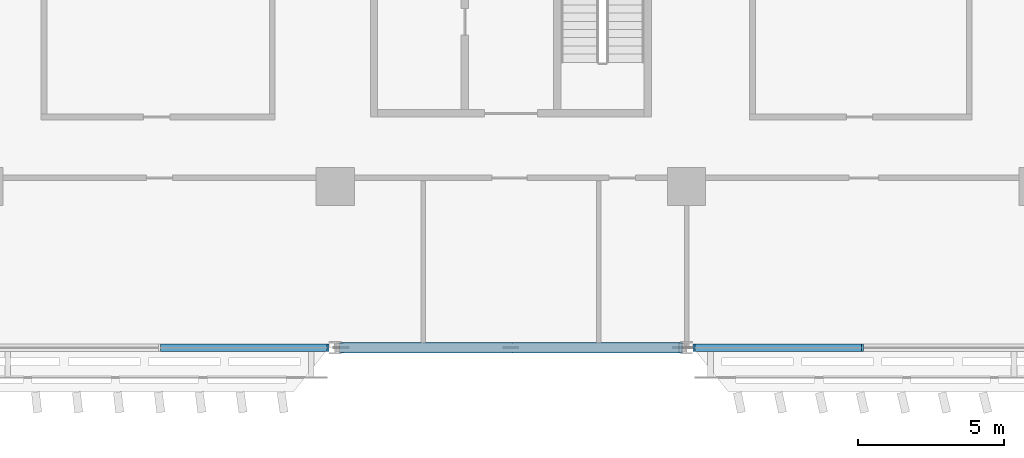
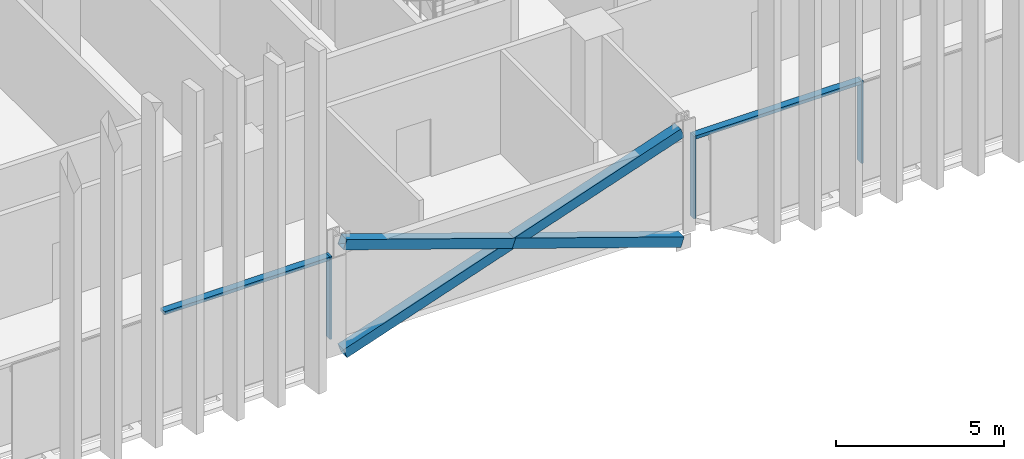
# One storey, part 4 of 33: 8 members, 2 elements without a shape of their own.
"""IFC4 building model written with IfcOpenShell, lengths in metres."""

from ifc_helpers import new_model, si_unit, direction, frame, origin, origin_2d, place, context, subcontext, project, spatial, rectangle, hollow_rectangle, extrude, material, material_profile, profile_set, type_object, element, aggregate, save


model = new_model("IFC4")

# Units and contexts
model_context = context("Model", 3, precision=1e-05, world=origin(), true_north=direction((0.0, 1.0)))
body_context = subcontext(model_context, "Body", "Model", "MODEL_VIEW")
ifc_project = project(units=[si_unit("LENGTHUNIT", "METRE"), si_unit("AREAUNIT", "SQUARE_METRE"), si_unit("VOLUMEUNIT", "CUBIC_METRE"), si_unit("PLANEANGLEUNIT", "RADIAN"), si_unit("MASSUNIT", "GRAM", prefix="KILO")], contexts=[model_context])

# Site, building, storey
site_placement = place(None, origin())
site = spatial("IfcSite", under=ifc_project, at=site_placement, CompositionType="ELEMENT")
building_placement = place(site_placement, origin())
building = spatial("IfcBuilding", under=site, at=building_placement, Name="Mahtab Terrace Research Tower", CompositionType="ELEMENT")
storey_placement = place(building_placement, frame((0.0, 0.0, 122.0)))
storey = spatial("IfcBuildingStorey", under=building, at=storey_placement, Name="L28", CompositionType="ELEMENT", Elevation=122.0)

# Members
ifc_material_1 = material(Name="Steel ASTM A500 Gr C", Category="steel")
ifc_material_profile_1 = material_profile(ifc_material_1, hollow_rectangle(XDim=0.355712890625, YDim=0.355712890625, WallThickness=0.01904296875, at=origin_2d()), Name="HSS14X14X3/4")
ifc_profile_set_1 = profile_set([ifc_material_profile_1], Name="Steel ASTM A500 Gr C")
member_type_1 = type_object("IfcMemberType", Name="HSS 14x14x3/4 brace XB141434", PredefinedType="BRACE", material=ifc_profile_set_1)
member_1_placement = place(storey_placement, frame((-5.794189453125, -17.0, -0.648193359375), z_axis=(0.946288278, 0.0, 0.323324132908), x_axis=(0.0, 1.0, 0.0)))
element("IfcMember", 1, at=member_1_placement, inside=storey, type_object=member_type_1, Name="Exoskeleton brace L28 17 a", PredefinedType="BRACE", context=body_context, shape_type="SweptSolid", body=[
    extrude(hollow_rectangle(XDim=0.355712890625, YDim=0.355712890625, WallThickness=0.01904296875, at=origin_2d()), origin(), (0.0, 0.0, 1.0), 12.24609375),
])
for number, where, z_axis, x_axis, name in (
    (2, (5.794189453125, -17.0, -0.648193359375), (-0.946288278, 0.0, 0.323324132908), (0.0, -1.0, 0.0), "Exoskeleton brace L28 17 b1"),
    (3, (0.0, -17.0, 1.33154296875), (-0.946288278, 0.0, 0.323324132908), (0.0, -1.0, 0.0), "Exoskeleton brace L28 17 b2"),
):
    element("IfcMember", number, at=place(storey_placement, frame(where, z_axis=z_axis, x_axis=x_axis)), inside=storey, type_object=member_type_1, Name=name, PredefinedType="BRACE", context=body_context, shape_type="SweptSolid", body=[
        extrude(hollow_rectangle(XDim=0.355712890625, YDim=0.355712890625, WallThickness=0.01904296875, at=origin_2d()), origin(), (0.0, 0.0, 1.0), 6.123046875),
    ])

# Curtain wall, member
ifc_material_2 = material(Name="Sky lounge full-height curtain wall")
curtain_wall_type = type_object("IfcCurtainWallType", Name="Sky lounge full-height curtain wall", PredefinedType="NOTDEFINED", material=ifc_material_2)
curtain_wall_1_placement = place(storey_placement, origin())
curtain_wall_1 = element("IfcCurtainWall", 4, at=curtain_wall_1_placement, inside=storey, type_object=curtain_wall_type, Name="EN.L28.13.26", PredefinedType="NOTDEFINED")
ifc_material_3 = material(Name="Natural anodised aluminium", Category="aluminium")
ifc_material_profile_2 = material_profile(ifc_material_3, rectangle(XDim=0.25, YDim=0.070068359375, at=origin_2d()), Name="MULLION 70x250")
ifc_profile_set_2 = profile_set([ifc_material_profile_2], Name="Natural anodised aluminium")
member_type_2 = type_object("IfcMemberType", Name="Sky lounge full-height curtain wall mullion", PredefinedType="MULLION", material=ifc_profile_set_2)
member_2_placement = place(storey_placement, frame((-6.2529296875, -17.0, 0.0), z_axis=(0.0, 0.0, 1.0), x_axis=(0.0, 1.0, 0.0)))
member_2 = element("IfcMember", 5, at=member_2_placement, type_object=member_type_2, Name="CWS-4 mullion 3", PredefinedType="MULLION", context=body_context, shape_type="SweptSolid", body=[
    extrude(rectangle(XDim=0.25, YDim=0.070068359375, at=origin_2d()), origin(), (0.0, 0.0, 1.0), 3.003173828125),
])

# Curtain wall, members
curtain_wall_2_placement = place(storey_placement, origin())
curtain_wall_2 = element("IfcCurtainWall", 6, at=curtain_wall_2_placement, inside=storey, type_object=curtain_wall_type, Name="EN.L28.13.28", PredefinedType="NOTDEFINED")
member_3_placement = place(storey_placement, frame((6.2529296875, -17.0, 0.0), z_axis=(0.0, 0.0, 1.0), x_axis=(0.0, 1.0, 0.0)))
member_3 = element("IfcMember", 7, at=member_3_placement, type_object=member_type_2, Name="CWS-4 mullion 1", PredefinedType="MULLION", context=body_context, shape_type="SweptSolid", body=[
    extrude(rectangle(XDim=0.25, YDim=0.070068359375, at=origin_2d()), origin(), (0.0, 0.0, 1.0), 3.003173828125),
])
member_4_placement = place(storey_placement, frame((12.0, -17.0, 0.0), z_axis=(0.0, 0.0, 1.0), x_axis=(0.0, 1.0, 0.0)))
member_4 = element("IfcMember", 8, at=member_4_placement, type_object=member_type_2, Name="CWS-4 mullion 2", PredefinedType="MULLION", context=body_context, shape_type="SweptSolid", body=[
    extrude(rectangle(XDim=0.25, YDim=0.070068359375, at=origin_2d()), origin(), (0.0, 0.0, 1.0), 3.003173828125),
])

# Member
ifc_material_profile_3 = material_profile(ifc_material_3, rectangle(XDim=0.25, YDim=0.1201171875, at=origin_2d()), Name="TRANSOM 120x250")
ifc_profile_set_3 = profile_set([ifc_material_profile_3], Name="Natural anodised aluminium")
member_type_3 = type_object("IfcMemberType", Name="Sky lounge full-height curtain wall transom", PredefinedType="USERDEFINED", material=ifc_profile_set_3)
member_5_placement = place(storey_placement, frame((-11.965087890625, -17.0, 2.943115234375), z_axis=(1.0, 0.0, 0.0), x_axis=(0.0, 1.0, 0.0)))
member_5 = element("IfcMember", 9, at=member_5_placement, type_object=member_type_3, Name="CWS-4 transom 2", ObjectType="TRANSOM", PredefinedType="USERDEFINED", context=body_context, shape_type="SweptSolid", body=[
    extrude(rectangle(XDim=0.25, YDim=0.1201171875, at=origin_2d()), origin(), (0.0, 0.0, 1.0), 5.677001953125),
])

aggregate(curtain_wall_1, [member_2, member_5])

member_6_placement = place(storey_placement, frame((6.2880859375, -17.0, 2.943115234375), z_axis=(1.0, 0.0, 0.0), x_axis=(0.0, 1.0, 0.0)))
member_6 = element("IfcMember", 10, at=member_6_placement, type_object=member_type_3, Name="CWS-4 transom 1", ObjectType="TRANSOM", PredefinedType="USERDEFINED", context=body_context, shape_type="SweptSolid", body=[
    extrude(rectangle(XDim=0.25, YDim=0.1201171875, at=origin_2d()), origin(), (0.0, 0.0, 1.0), 5.677001953125),
])

aggregate(curtain_wall_2, [member_3, member_4, member_6])

save(model, "model.ifc")
